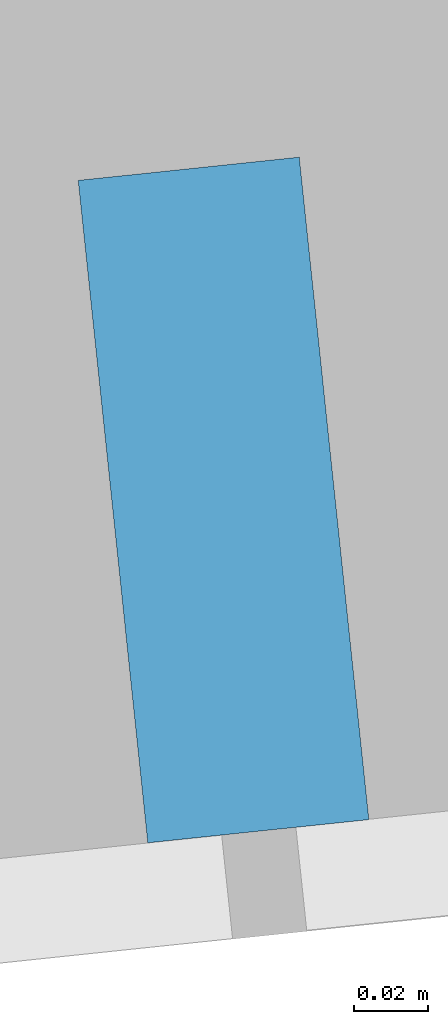
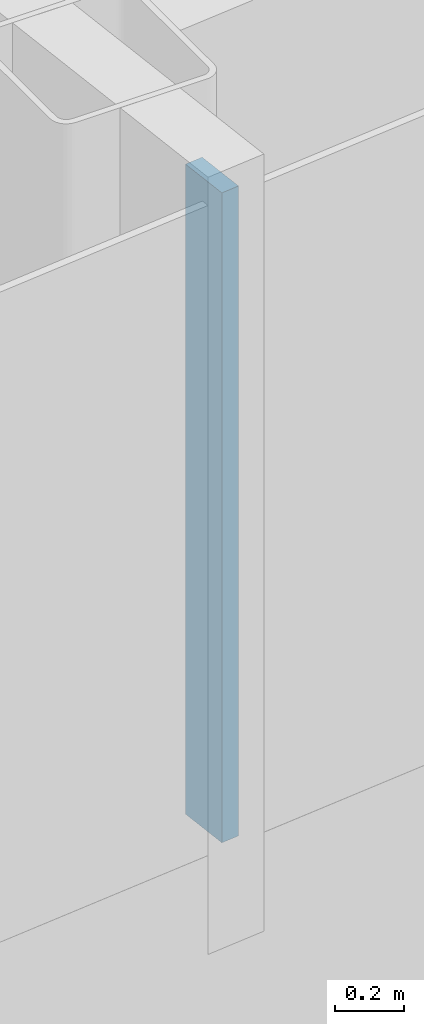
# One storey, part 7 of 27: 1 member, 1 element without a shape of its own.
"""IFC4 building model written with IfcOpenShell, lengths in metres."""

from ifc_helpers import new_model, si_unit, direction, frame, origin, origin_2d, place, context, subcontext, project, spatial, rectangle, extrude, material, layer, layer_set, material_profile, profile_set, type_object, element, aggregate, save


model = new_model("IFC4")

# Units and contexts
model_context = context("Model", 3, precision=1e-05, world=origin(), true_north=direction((0.0, 1.0)))
body_context = subcontext(model_context, "Body", "Model", "MODEL_VIEW")
ifc_project = project(units=[si_unit("LENGTHUNIT", "METRE"), si_unit("AREAUNIT", "SQUARE_METRE"), si_unit("VOLUMEUNIT", "CUBIC_METRE"), si_unit("PLANEANGLEUNIT", "RADIAN"), si_unit("MASSUNIT", "GRAM", prefix="KILO")], contexts=[model_context])

# Site, building, storey
site_placement = place(None, origin())
site = spatial("IfcSite", under=ifc_project, at=site_placement, CompositionType="ELEMENT")
building_placement = place(site_placement, origin())
building = spatial("IfcBuilding", under=site, at=building_placement, Name="Hakoniwa Tower and Hamabe Station Hall", CompositionType="ELEMENT")
storey_placement = place(building_placement, frame((0.0, 0.0, 255.0)))
storey = spatial("IfcBuildingStorey", under=building, at=storey_placement, Name="L72", CompositionType="ELEMENT", Elevation=255.0)

# Curtain wall, member
ifc_material_1 = material(Name="Dark low-e laminated glass", Category="glass")
ifc_layer = layer(ifc_material_1, 0.199951171875)
ifc_layer_set = layer_set([ifc_layer], Name="CW-1 UNITISED GUEST")
curtain_wall_type = type_object("IfcCurtainWallType", Name="CW-1 UNITISED GUEST", PredefinedType="NOTDEFINED", material=ifc_layer_set)
curtain_wall_placement = place(storey_placement, origin())
curtain_wall = element("IfcCurtainWall", 1, at=curtain_wall_placement, inside=storey, type_object=curtain_wall_type, Name="CW-1 curtain wall", PredefinedType="NOTDEFINED")
ifc_material_2 = material(Name="Aluminium 6063-T5 black anodised", Category="aluminium")
ifc_material_profile = material_profile(ifc_material_2, rectangle(XDim=0.06005859375, YDim=0.179931640625, at=origin_2d()), Name="CW-1 MULLION 60X180")
ifc_profile_set = profile_set([ifc_material_profile], Name="Aluminium 6063-T5 black anodised")
member_type = type_object("IfcMemberType", Name="CW-1 MULLION 60X180", PredefinedType="MULLION", material=ifc_profile_set)
member_placement = place(storey_placement, frame((18.50390625, -12.831787109375, 0.35009765625), z_axis=(0.0, 0.0, 1.0), x_axis=(0.994521895272, 0.104528464188, 0.0)))
member = element("IfcMember", 2, at=member_placement, type_object=member_type, Name="CW-1 mullion", PredefinedType="MULLION", context=body_context, shape_type="SweptSolid", body=[
    extrude(rectangle(XDim=0.06005859375, YDim=0.179931640625, at=origin_2d()), origin(), (0.0, 0.0, 1.0), 2.2998046875),
])
aggregate(curtain_wall, [member])

save(model, "model.ifc")
